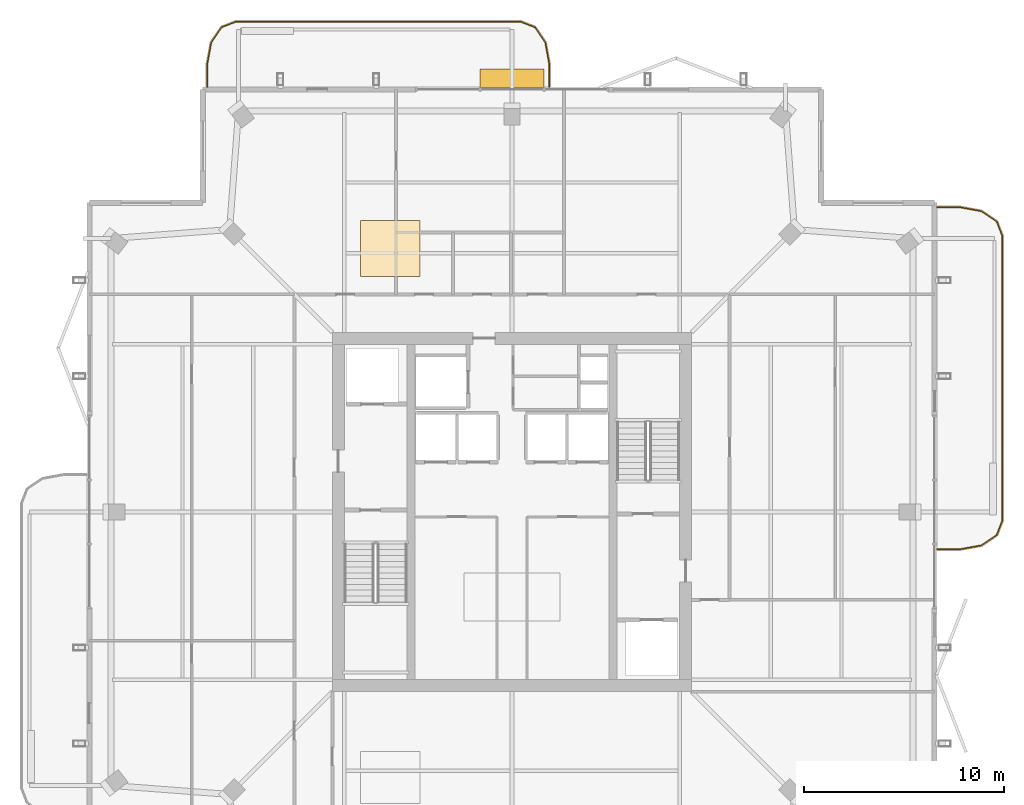
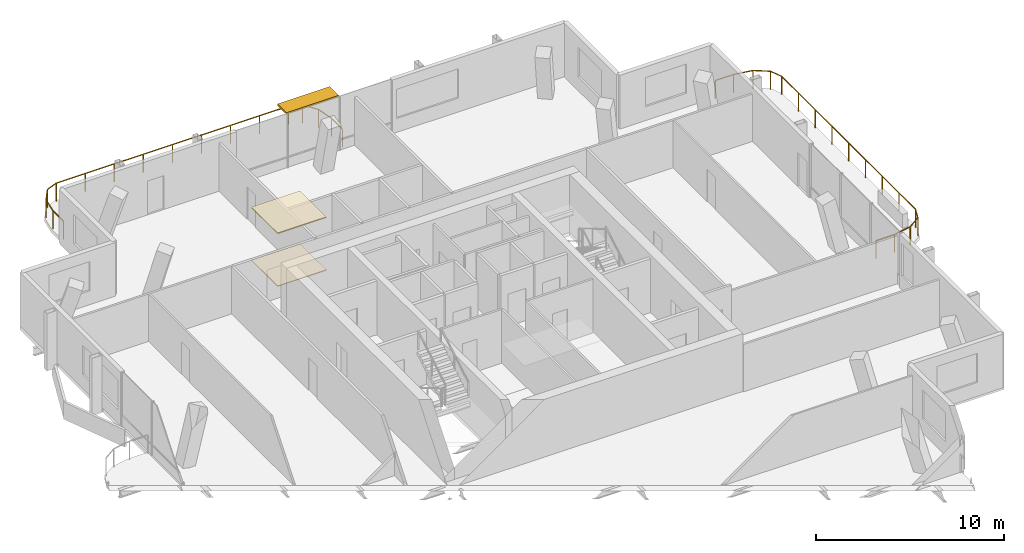
# One storey, part 20 of 20: 2 coverings, 2 railings, 1 shading device.
"""IFC4 building model written with IfcOpenShell, lengths in metres."""

from ifc_helpers import new_model, si_unit, direction, frame, origin, origin_2d, place, context, subcontext, project, spatial, polyline, rectangle, outline, extrude, material, layer, layer_set, type_object, element, save


model = new_model("IFC4")

# Units and contexts
model_context = context("Model", 3, precision=1e-05, world=origin(), true_north=direction((0.0, 1.0)))
body_context = subcontext(model_context, "Body", "Model", "MODEL_VIEW")
ifc_project = project(units=[si_unit("LENGTHUNIT", "METRE"), si_unit("AREAUNIT", "SQUARE_METRE"), si_unit("VOLUMEUNIT", "CUBIC_METRE"), si_unit("PLANEANGLEUNIT", "RADIAN"), si_unit("MASSUNIT", "GRAM", prefix="KILO")], contexts=[model_context])

# Site, building, storey
site_placement = place(None, origin())
site = spatial("IfcSite", under=ifc_project, at=site_placement, CompositionType="ELEMENT")
building_placement = place(site_placement, origin())
building = spatial("IfcBuilding", under=site, at=building_placement, Name="Belovzor Exchange Tower", CompositionType="ELEMENT")
storey_placement = place(building_placement, frame((0.0, 0.0, 351.75)))
storey = spatial("IfcBuildingStorey", under=building, at=storey_placement, Name="L88", CompositionType="ELEMENT", Elevation=351.75)

# Railings
ifc_material_1 = material(Name="Stainless Steel and Laminated Safety Glass", Category="steel")
railing_type = type_object("IfcRailingType", Name="Laminated Glass & Stainless Steel Balcony Balustrade 1200", PredefinedType="BALUSTRADE", material=ifc_material_1)
railing_1_placement = place(storey_placement, frame((30.669921875, 50.110107421875, 0.0)))
element("IfcRailing", 1, at=railing_1_placement, inside=storey, type_object=railing_type, Name="GR-1 Balcony Balustrade L88 North", PredefinedType="BALUSTRADE", context=body_context, shape_type="SweptSolid", body=[
    extrude(rectangle(XDim=0.048095703125, YDim=0.048095703125, at=origin_2d()), frame((0.0, 0.0, 1.17578125), z_axis=(0.0, 1.0, 0.0), x_axis=(-1.0, 0.0, 0.0)), (0.0, 0.0, 1.0), 1.1328125),
    extrude(rectangle(XDim=0.048095703125, YDim=0.048095703125, at=origin_2d()), frame((0.0, 1.1328125, 1.17578125), z_axis=(-0.180083182347, 0.983651385113, 0.0), x_axis=(-0.983651385113, -0.180083182347, 0.0)), (0.0, 0.0, 1.0), 1.093994140625),
    extrude(rectangle(XDim=0.048095703125, YDim=0.048095703125, at=origin_2d()), frame((-0.197021484375, 2.208984375, 1.17578125), z_axis=(-0.562768145367, 0.826614792125, 0.0), x_axis=(-0.826614792125, -0.562768145367, 0.0)), (0.0, 0.0, 1.0), 0.9326171875),
    extrude(rectangle(XDim=0.048095703125, YDim=0.048095703125, at=origin_2d()), frame((-0.721923828125, 2.97998046875, 1.17578125), z_axis=(-0.930766990125, 0.365612923861, 0.0), x_axis=(-0.365612923861, -0.930766990125, 0.0)), (0.0, 0.0, 1.0), 0.765869140625),
    extrude(rectangle(XDim=0.048095703125, YDim=0.048095703125, at=origin_2d()), frame((-1.434814453125, 3.260009765625, 1.17578125), z_axis=(-1.0, 0.0, 0.0), x_axis=(0.0, -1.0, 0.0)), (0.0, 0.0, 1.0), 14.27001953125),
    extrude(rectangle(XDim=0.048095703125, YDim=0.048095703125, at=origin_2d()), frame((-15.704833984375, 3.260009765625, 1.17578125), z_axis=(-0.930809580156, -0.365504480807, 0.0), x_axis=(0.365504480807, -0.930809580156, 0.0)), (0.0, 0.0, 1.0), 0.76611328125),
    extrude(rectangle(XDim=0.048095703125, YDim=0.048095703125, at=origin_2d()), frame((-16.41796875, 2.97998046875, 1.17578125), z_axis=(-0.562768145367, -0.826614792125, 0.0), x_axis=(0.826614792125, -0.562768145367, 0.0)), (0.0, 0.0, 1.0), 0.9326171875),
    extrude(rectangle(XDim=0.048095703125, YDim=0.048095703125, at=origin_2d()), frame((-16.94287109375, 2.208984375, 1.17578125), z_axis=(-0.180083182347, -0.983651385113, 0.0), x_axis=(0.983651385113, -0.180083182347, 0.0)), (0.0, 0.0, 1.0), 1.093994140625),
    extrude(rectangle(XDim=0.048095703125, YDim=0.048095703125, at=origin_2d()), frame((-17.139892578125, 1.1328125, 1.17578125), z_axis=(0.0, -1.0, 0.0), x_axis=(1.0, 0.0, 0.0)), (0.0, 0.0, 1.0), 1.1328125),
    extrude(rectangle(XDim=0.0419921875, YDim=0.0419921875, at=origin_2d()), origin(), (0.0, 0.0, 1.0), 1.15185546875),
    extrude(rectangle(XDim=0.0419921875, YDim=0.0419921875, at=origin_2d()), frame((0.0, 1.1328125, 0.0)), (0.0, 0.0, 1.0), 1.15185546875),
    extrude(rectangle(XDim=0.0419921875, YDim=0.0419921875, at=origin_2d()), frame((-0.197021484375, 2.208984375, 0.0)), (0.0, 0.0, 1.0), 1.15185546875),
    extrude(rectangle(XDim=0.0419921875, YDim=0.0419921875, at=origin_2d()), frame((-0.721923828125, 2.97998046875, 0.0)), (0.0, 0.0, 1.0), 1.15185546875),
    extrude(rectangle(XDim=0.0419921875, YDim=0.0419921875, at=origin_2d()), frame((-1.434814453125, 3.260009765625, 0.0)), (0.0, 0.0, 1.0), 1.15185546875),
    extrude(rectangle(XDim=0.0419921875, YDim=0.0419921875, at=origin_2d()), frame((-3.218505859375, 3.260009765625, 0.0)), (0.0, 0.0, 1.0), 1.15185546875),
    extrude(rectangle(XDim=0.0419921875, YDim=0.0419921875, at=origin_2d()), frame((-5.00244140625, 3.260009765625, 0.0)), (0.0, 0.0, 1.0), 1.15185546875),
    extrude(rectangle(XDim=0.0419921875, YDim=0.0419921875, at=origin_2d()), frame((-6.7861328125, 3.260009765625, 0.0)), (0.0, 0.0, 1.0), 1.15185546875),
    extrude(rectangle(XDim=0.0419921875, YDim=0.0419921875, at=origin_2d()), frame((-8.56982421875, 3.260009765625, 0.0)), (0.0, 0.0, 1.0), 1.15185546875),
    extrude(rectangle(XDim=0.0419921875, YDim=0.0419921875, at=origin_2d()), frame((-10.353515625, 3.260009765625, 0.0)), (0.0, 0.0, 1.0), 1.15185546875),
    extrude(rectangle(XDim=0.0419921875, YDim=0.0419921875, at=origin_2d()), frame((-12.13720703125, 3.260009765625, 0.0)), (0.0, 0.0, 1.0), 1.15185546875),
    extrude(rectangle(XDim=0.0419921875, YDim=0.0419921875, at=origin_2d()), frame((-13.921142578125, 3.260009765625, 0.0)), (0.0, 0.0, 1.0), 1.15185546875),
    extrude(rectangle(XDim=0.0419921875, YDim=0.0419921875, at=origin_2d()), frame((-15.704833984375, 3.260009765625, 0.0)), (0.0, 0.0, 1.0), 1.15185546875),
    extrude(rectangle(XDim=0.0419921875, YDim=0.0419921875, at=origin_2d()), frame((-16.41796875, 2.97998046875, 0.0)), (0.0, 0.0, 1.0), 1.15185546875),
    extrude(rectangle(XDim=0.0419921875, YDim=0.0419921875, at=origin_2d()), frame((-16.94287109375, 2.208984375, 0.0)), (0.0, 0.0, 1.0), 1.15185546875),
    extrude(rectangle(XDim=0.0419921875, YDim=0.0419921875, at=origin_2d()), frame((-17.139892578125, 1.1328125, 0.0)), (0.0, 0.0, 1.0), 1.15185546875),
    extrude(rectangle(XDim=0.0419921875, YDim=0.0419921875, at=origin_2d()), frame((-17.139892578125, 0.0, 0.0)), (0.0, 0.0, 1.0), 1.15185546875),
])
railing_2_placement = place(storey_placement, frame((50.110107421875, 26.929931640625, 0.0)))
element("IfcRailing", 2, at=railing_2_placement, inside=storey, type_object=railing_type, Name="GR-1 Balcony Balustrade L88 East", PredefinedType="BALUSTRADE", context=body_context, shape_type="SweptSolid", body=[
    extrude(rectangle(XDim=0.048095703125, YDim=0.048095703125, at=origin_2d()), frame((0.0, 0.0, 1.17578125), z_axis=(1.0, 0.0, 0.0), x_axis=(0.0, 1.0, 0.0)), (0.0, 0.0, 1.0), 1.1328125),
    extrude(rectangle(XDim=0.048095703125, YDim=0.048095703125, at=origin_2d()), frame((1.1328125, 0.0, 1.17578125), z_axis=(0.983651385113, 0.180083182347, 0.0), x_axis=(-0.180083182347, 0.983651385113, 0.0)), (0.0, 0.0, 1.0), 1.093994140625),
    extrude(rectangle(XDim=0.048095703125, YDim=0.048095703125, at=origin_2d()), frame((2.208984375, 0.197021484375, 1.17578125), z_axis=(0.826493025367, 0.56294695933, 0.0), x_axis=(-0.56294695933, 0.826493025367, 0.0)), (0.0, 0.0, 1.0), 0.932861328125),
    extrude(rectangle(XDim=0.048095703125, YDim=0.048095703125, at=origin_2d()), frame((2.97998046875, 0.72216796875, 1.17578125), z_axis=(0.365612923861, 0.930766990125, 0.0), x_axis=(-0.930766990125, 0.365612923861, 0.0)), (0.0, 0.0, 1.0), 0.765869140625),
    extrude(rectangle(XDim=0.048095703125, YDim=0.048095703125, at=origin_2d()), frame((3.260009765625, 1.43505859375, 1.17578125), z_axis=(0.0, 1.0, 0.0), x_axis=(-1.0, 0.0, 0.0)), (0.0, 0.0, 1.0), 14.27001953125),
    extrude(rectangle(XDim=0.048095703125, YDim=0.048095703125, at=origin_2d()), frame((3.260009765625, 15.705078125, 1.17578125), z_axis=(-0.365612923861, 0.930766990125, 0.0), x_axis=(-0.930766990125, -0.365612923861, 0.0)), (0.0, 0.0, 1.0), 0.765869140625),
    extrude(rectangle(XDim=0.048095703125, YDim=0.048095703125, at=origin_2d()), frame((2.97998046875, 16.41796875, 1.17578125), z_axis=(-0.826493025367, 0.56294695933, 0.0), x_axis=(-0.56294695933, -0.826493025367, 0.0)), (0.0, 0.0, 1.0), 0.932861328125),
    extrude(rectangle(XDim=0.048095703125, YDim=0.048095703125, at=origin_2d()), frame((2.208984375, 16.943115234375, 1.17578125), z_axis=(-0.983651385113, 0.180083182347, 0.0), x_axis=(-0.180083182347, -0.983651385113, 0.0)), (0.0, 0.0, 1.0), 1.093994140625),
    extrude(rectangle(XDim=0.048095703125, YDim=0.048095703125, at=origin_2d()), frame((1.1328125, 17.14013671875, 1.17578125), z_axis=(-1.0, 0.0, 0.0), x_axis=(0.0, -1.0, 0.0)), (0.0, 0.0, 1.0), 1.1328125),
    extrude(rectangle(XDim=0.0419921875, YDim=0.0419921875, at=origin_2d()), origin(), (0.0, 0.0, 1.0), 1.15185546875),
    extrude(rectangle(XDim=0.0419921875, YDim=0.0419921875, at=origin_2d()), frame((1.1328125, 0.0, 0.0)), (0.0, 0.0, 1.0), 1.15185546875),
    extrude(rectangle(XDim=0.0419921875, YDim=0.0419921875, at=origin_2d()), frame((2.208984375, 0.197021484375, 0.0)), (0.0, 0.0, 1.0), 1.15185546875),
    extrude(rectangle(XDim=0.0419921875, YDim=0.0419921875, at=origin_2d()), frame((2.97998046875, 0.72216796875, 0.0)), (0.0, 0.0, 1.0), 1.15185546875),
    extrude(rectangle(XDim=0.0419921875, YDim=0.0419921875, at=origin_2d()), frame((3.260009765625, 1.43505859375, 0.0)), (0.0, 0.0, 1.0), 1.15185546875),
    extrude(rectangle(XDim=0.0419921875, YDim=0.0419921875, at=origin_2d()), frame((3.260009765625, 3.21875, 0.0)), (0.0, 0.0, 1.0), 1.15185546875),
    extrude(rectangle(XDim=0.0419921875, YDim=0.0419921875, at=origin_2d()), frame((3.260009765625, 5.00244140625, 0.0)), (0.0, 0.0, 1.0), 1.15185546875),
    extrude(rectangle(XDim=0.0419921875, YDim=0.0419921875, at=origin_2d()), frame((3.260009765625, 6.786376953125, 0.0)), (0.0, 0.0, 1.0), 1.15185546875),
    extrude(rectangle(XDim=0.0419921875, YDim=0.0419921875, at=origin_2d()), frame((3.260009765625, 8.570068359375, 0.0)), (0.0, 0.0, 1.0), 1.15185546875),
    extrude(rectangle(XDim=0.0419921875, YDim=0.0419921875, at=origin_2d()), frame((3.260009765625, 10.353759765625, 0.0)), (0.0, 0.0, 1.0), 1.15185546875),
    extrude(rectangle(XDim=0.0419921875, YDim=0.0419921875, at=origin_2d()), frame((3.260009765625, 12.1376953125, 0.0)), (0.0, 0.0, 1.0), 1.15185546875),
    extrude(rectangle(XDim=0.0419921875, YDim=0.0419921875, at=origin_2d()), frame((3.260009765625, 13.92138671875, 0.0)), (0.0, 0.0, 1.0), 1.15185546875),
    extrude(rectangle(XDim=0.0419921875, YDim=0.0419921875, at=origin_2d()), frame((3.260009765625, 15.705078125, 0.0)), (0.0, 0.0, 1.0), 1.15185546875),
    extrude(rectangle(XDim=0.0419921875, YDim=0.0419921875, at=origin_2d()), frame((2.97998046875, 16.41796875, 0.0)), (0.0, 0.0, 1.0), 1.15185546875),
    extrude(rectangle(XDim=0.0419921875, YDim=0.0419921875, at=origin_2d()), frame((2.208984375, 16.943115234375, 0.0)), (0.0, 0.0, 1.0), 1.15185546875),
    extrude(rectangle(XDim=0.0419921875, YDim=0.0419921875, at=origin_2d()), frame((1.1328125, 17.14013671875, 0.0)), (0.0, 0.0, 1.0), 1.15185546875),
    extrude(rectangle(XDim=0.0419921875, YDim=0.0419921875, at=origin_2d()), frame((0.0, 17.14013671875, 0.0)), (0.0, 0.0, 1.0), 1.15185546875),
])

# Coverings
ifc_material_2 = material(Name="Perforated Powder-Coated Aluminium", Category="aluminium")
ifc_layer_1 = layer(ifc_material_2, 0.06005859375)
ifc_layer_set_1 = layer_set([ifc_layer_1], Name="Perforated Powder-Coated Aluminium")
covering_type_1 = type_object("IfcCoveringType", Name="Perforated Acoustic Metal Tile Suspended Ceiling 60", PredefinedType="CEILING", material=ifc_layer_set_1)
covering_1_placement = place(storey_placement, frame((0.0, 0.0, 3.429931640625)))
element("IfcCovering", 3, at=covering_1_placement, inside=storey, type_object=covering_type_1, Name="CLG-AC60 Suspended Ceiling CLG-L88-Z3", PredefinedType="CEILING", context=body_context, shape_type="SweptSolid", body=[
    extrude(outline(polyline([(21.199951171875, 40.60009765625), (24.199951171875, 40.60009765625), (24.199951171875, 43.39990234375), (21.199951171875, 43.39990234375), (21.199951171875, 40.60009765625)])), origin(), (0.0, 0.0, 1.0), 0.06005859375),
])
ifc_material_3 = material(Name="Polished Natural Granite Tile", Category="masonry")
ifc_layer_2 = layer(ifc_material_3, 0.050048828125)
ifc_layer_set_2 = layer_set([ifc_layer_2], Name="Polished Natural Granite Tile")
covering_type_2 = type_object("IfcCoveringType", Name="Polished Karelian Granite & Raised Access Floor Finish 50", PredefinedType="FLOORING", material=ifc_layer_set_2)
covering_2_placement = place(storey_placement, origin())
element("IfcCovering", 4, at=covering_2_placement, inside=storey, type_object=covering_type_2, Name="FLR-GR50 Floor Finish FLR-L88-Z3", PredefinedType="FLOORING", context=body_context, shape_type="SweptSolid", body=[
    extrude(outline(polyline([(21.199951171875, 40.60009765625), (24.199951171875, 40.60009765625), (24.199951171875, 43.39990234375), (21.199951171875, 43.39990234375), (21.199951171875, 40.60009765625)])), origin(), (0.0, 0.0, 1.0), 0.050048828125),
])

# Shading device
ifc_material_4 = material(Name="Extruded Architectural Terracotta", Category="masonry")
ifc_layer_3 = layer(ifc_material_4, 0.1201171875)
ifc_layer_set_3 = layer_set([ifc_layer_3], Name="Extruded Architectural Terracotta")
shading_device_type = type_object("IfcShadingDeviceType", Name="Streamline Terracotta Horizontal Sunshade Hood 950", PredefinedType="AWNING", material=ifc_layer_set_3)
shading_device_placement = place(storey_placement, frame((28.800048828125, 50.514892578125, 3.369873046875), z_axis=(0.0, 0.0, 1.0), x_axis=(1.0, 0.0, 0.0)))
element("IfcShadingDevice", 5, at=shading_device_placement, inside=storey, type_object=shading_device_type, Name="SHD-TC095 Terracotta Sunshade L88 N", PredefinedType="AWNING", context=body_context, shape_type="SweptSolid", body=[
    extrude(rectangle(XDim=3.199951171875, YDim=0.949951171875, at=origin_2d()), origin(), (0.0, 0.0, 1.0), 0.1201171875),
])

save(model, "model.ifc")
